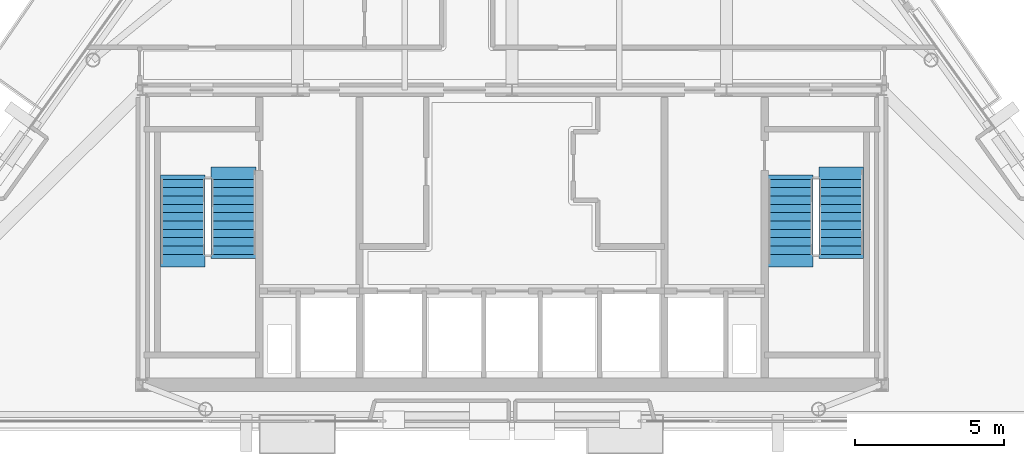
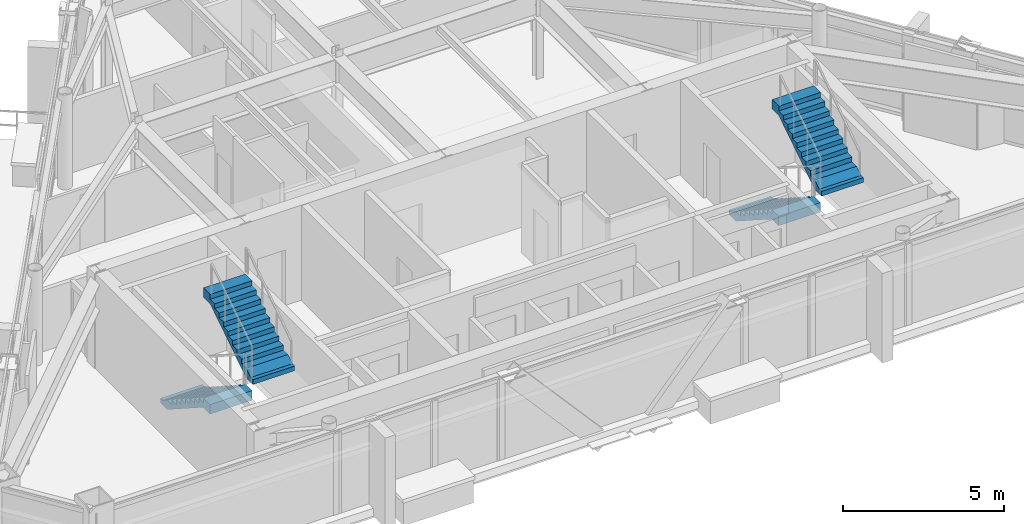
# One storey, part 10 of 12: 4 stair flights, 2 elements without a shape of their own.
"""IFC4 building model written with IfcOpenShell, lengths in metres."""

from ifc_helpers import new_model, si_unit, direction, frame, origin, place, context, subcontext, project, spatial, polyline, outline, extrude, material, layer, layer_set, type_object, element, aggregate, save


model = new_model("IFC4")

# Units and contexts
model_context = context("Model", 3, precision=1e-05, world=origin(), true_north=direction((0.0, 1.0)))
body_context = subcontext(model_context, "Body", "Model", "MODEL_VIEW")
ifc_project = project(units=[si_unit("LENGTHUNIT", "METRE"), si_unit("AREAUNIT", "SQUARE_METRE"), si_unit("VOLUMEUNIT", "CUBIC_METRE"), si_unit("PLANEANGLEUNIT", "RADIAN"), si_unit("MASSUNIT", "GRAM", prefix="KILO")], contexts=[model_context])

# Site, building, storey
site_placement = place(None, origin())
site = spatial("IfcSite", under=ifc_project, at=site_placement, CompositionType="ELEMENT")
building_placement = place(site_placement, origin())
building = spatial("IfcBuilding", under=site, at=building_placement, Name="Talgorran Terracotta Tower", CompositionType="ELEMENT")
storey_placement = place(building_placement, frame((0.0, 0.0, 263.39990234375)))
storey = spatial("IfcBuildingStorey", under=building, at=storey_placement, Name="L69", CompositionType="ELEMENT", Elevation=263.39990234375)

# Stair, stair flights
ifc_material = material(Name="Concrete C40/50", Category="concrete")
stair_type = type_object("IfcStairType", Name="ST_FIRE_SCISSOR", PredefinedType="HALF_TURN_STAIR", material=ifc_material)
stair_1_placement = place(storey_placement, origin())
stair_1 = element("IfcStair", 1, at=stair_1_placement, inside=storey, type_object=stair_type, Name="L69 West Protected Fire Stair ST-01", PredefinedType="HALF_TURN_STAIR")
ifc_layer = layer(ifc_material, 0.179931640625, Name="STF_RC_1500")
ifc_layer_set = layer_set([ifc_layer], Name="Concrete C40/50")
stair_flight_type = type_object("IfcStairFlightType", Name="STF_RC_1500", PredefinedType="STRAIGHT", material=ifc_layer_set)
stair_flight_1_placement = place(storey_placement, frame((-11.050048828125, -7.199951171875, 0.0), z_axis=(0.0, 0.0, 1.0), x_axis=(0.0, -1.0, 0.0)))
stair_flight_1 = element("IfcStairFlight", 2, at=stair_flight_1_placement, type_object=stair_flight_type, Name="ST-01 flight 1", NumberOfRisers=10, NumberOfTreads=9, PredefinedType="STRAIGHT", RiserHeight=0.18, TreadLength=0.28, context=body_context, shape_type="SweptSolid", body=[
    extrude(outline(polyline([(-0.139892578125, 0.0), (-0.139892578125, 0.179931640625), (0.0, 0.179931640625), (0.280029296875, 0.360107421875), (0.56005859375, 0.360107421875), (0.56005859375, 0.5400390625), (0.840087890625, 0.5400390625), (0.840087890625, 0.719970703125), (1.1201171875, 0.719970703125), (1.1201171875, 0.89990234375), (1.39990234375, 0.89990234375), (1.39990234375, 1.080078125), (1.679931640625, 1.080078125), (1.679931640625, 1.260009765625), (1.9599609375, 1.260009765625), (1.9599609375, 1.43994140625), (2.239990234375, 1.43994140625), (2.239990234375, 1.6201171875), (2.52001953125, 1.6201171875), (2.52001953125, 1.800048828125), (2.93994140625, 1.800048828125), (2.93994140625, 1.44189453125), (2.52001953125, 1.44189453125), (0.277099609375, 0.0), (-0.139892578125, 0.0)])), frame((0.0, 0.75, 0.0), z_axis=(0.0, -1.0, 0.0), x_axis=(1.0, 0.0, 0.0)), (0.0, 0.0, 1.0), 1.5),
])
stair_flight_2_placement = place(storey_placement, frame((-9.35009765625, -9.719970703125, 1.800048828125), z_axis=(0.0, 0.0, 1.0), x_axis=(0.0, 1.0, 0.0)))
stair_flight_2 = element("IfcStairFlight", 3, at=stair_flight_2_placement, type_object=stair_flight_type, Name="ST-01 flight 2", NumberOfRisers=10, NumberOfTreads=9, PredefinedType="STRAIGHT", RiserHeight=0.18, TreadLength=0.28, context=body_context, shape_type="SweptSolid", body=[
    extrude(outline(polyline([(-0.139892578125, 0.0), (-0.139892578125, 0.179931640625), (0.0, 0.179931640625), (0.280029296875, 0.360107421875), (0.56005859375, 0.360107421875), (0.56005859375, 0.5400390625), (0.840087890625, 0.5400390625), (0.840087890625, 0.719970703125), (1.1201171875, 0.719970703125), (1.1201171875, 0.89990234375), (1.39990234375, 0.89990234375), (1.39990234375, 1.080078125), (1.679931640625, 1.080078125), (1.679931640625, 1.260009765625), (1.9599609375, 1.260009765625), (1.9599609375, 1.43994140625), (2.239990234375, 1.43994140625), (2.239990234375, 1.6201171875), (2.52001953125, 1.6201171875), (2.52001953125, 1.800048828125), (2.93994140625, 1.800048828125), (2.93994140625, 1.44189453125), (2.52001953125, 1.44189453125), (0.277099609375, 0.0), (-0.139892578125, 0.0)])), frame((0.0, 0.75, 0.0), z_axis=(0.0, -1.0, 0.0), x_axis=(1.0, 0.0, 0.0)), (0.0, 0.0, 1.0), 1.5),
])
aggregate(stair_1, [stair_flight_1, stair_flight_2])

stair_2_placement = place(storey_placement, origin())
stair_2 = element("IfcStair", 4, at=stair_2_placement, inside=storey, type_object=stair_type, Name="L69 East Protected Fire Stair ST-02", PredefinedType="HALF_TURN_STAIR")
stair_flight_3_placement = place(storey_placement, frame((9.35009765625, -7.199951171875, 0.0), z_axis=(0.0, 0.0, 1.0), x_axis=(0.0, -1.0, 0.0)))
stair_flight_3 = element("IfcStairFlight", 5, at=stair_flight_3_placement, type_object=stair_flight_type, Name="ST-02 flight 1", NumberOfRisers=10, NumberOfTreads=9, PredefinedType="STRAIGHT", RiserHeight=0.18, TreadLength=0.28, context=body_context, shape_type="SweptSolid", body=[
    extrude(outline(polyline([(-0.139892578125, 0.0), (-0.139892578125, 0.179931640625), (0.0, 0.179931640625), (0.280029296875, 0.360107421875), (0.56005859375, 0.360107421875), (0.56005859375, 0.5400390625), (0.840087890625, 0.5400390625), (0.840087890625, 0.719970703125), (1.1201171875, 0.719970703125), (1.1201171875, 0.89990234375), (1.39990234375, 0.89990234375), (1.39990234375, 1.080078125), (1.679931640625, 1.080078125), (1.679931640625, 1.260009765625), (1.9599609375, 1.260009765625), (1.9599609375, 1.43994140625), (2.239990234375, 1.43994140625), (2.239990234375, 1.6201171875), (2.52001953125, 1.6201171875), (2.52001953125, 1.800048828125), (2.93994140625, 1.800048828125), (2.93994140625, 1.44189453125), (2.52001953125, 1.44189453125), (0.277099609375, 0.0), (-0.139892578125, 0.0)])), frame((0.0, 0.75, 0.0), z_axis=(0.0, -1.0, 0.0), x_axis=(1.0, 0.0, 0.0)), (0.0, 0.0, 1.0), 1.5),
])
stair_flight_4_placement = place(storey_placement, frame((11.050048828125, -9.719970703125, 1.800048828125), z_axis=(0.0, 0.0, 1.0), x_axis=(0.0, 1.0, 0.0)))
stair_flight_4 = element("IfcStairFlight", 6, at=stair_flight_4_placement, type_object=stair_flight_type, Name="ST-02 flight 2", NumberOfRisers=10, NumberOfTreads=9, PredefinedType="STRAIGHT", RiserHeight=0.18, TreadLength=0.28, context=body_context, shape_type="SweptSolid", body=[
    extrude(outline(polyline([(-0.139892578125, 0.0), (-0.139892578125, 0.179931640625), (0.0, 0.179931640625), (0.280029296875, 0.360107421875), (0.56005859375, 0.360107421875), (0.56005859375, 0.5400390625), (0.840087890625, 0.5400390625), (0.840087890625, 0.719970703125), (1.1201171875, 0.719970703125), (1.1201171875, 0.89990234375), (1.39990234375, 0.89990234375), (1.39990234375, 1.080078125), (1.679931640625, 1.080078125), (1.679931640625, 1.260009765625), (1.9599609375, 1.260009765625), (1.9599609375, 1.43994140625), (2.239990234375, 1.43994140625), (2.239990234375, 1.6201171875), (2.52001953125, 1.6201171875), (2.52001953125, 1.800048828125), (2.93994140625, 1.800048828125), (2.93994140625, 1.44189453125), (2.52001953125, 1.44189453125), (0.277099609375, 0.0), (-0.139892578125, 0.0)])), frame((0.0, 0.75, 0.0), z_axis=(0.0, -1.0, 0.0), x_axis=(1.0, 0.0, 0.0)), (0.0, 0.0, 1.0), 1.5),
])
aggregate(stair_2, [stair_flight_3, stair_flight_4])

save(model, "model.ifc")
